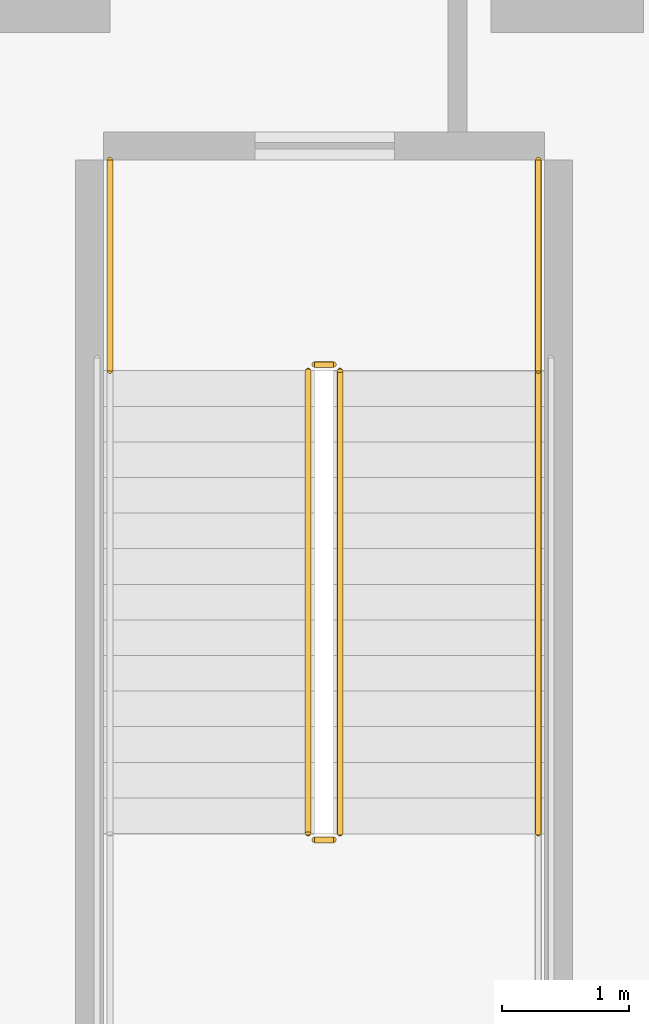
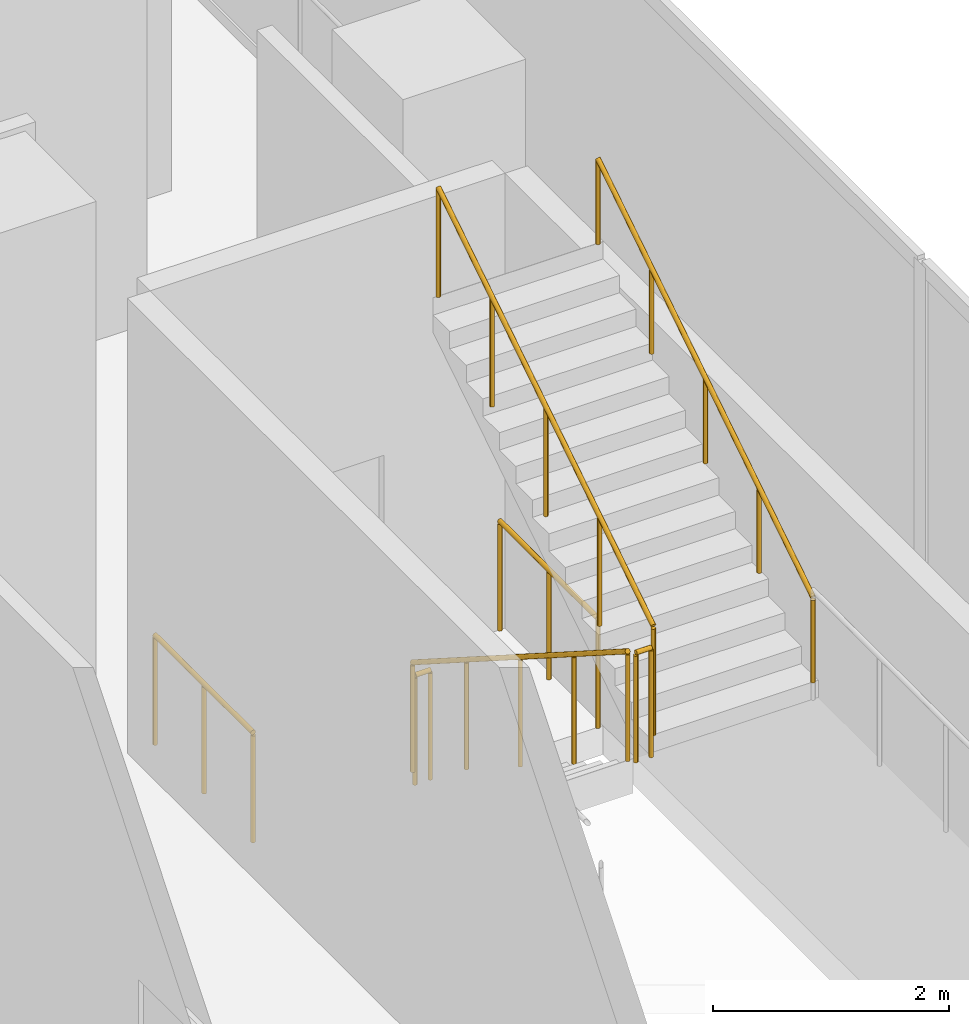
# One storey, part 31 of 31: 7 railings.
"""IFC4 building model written with IfcOpenShell, lengths in metres."""

from ifc_helpers import new_model, si_unit, direction, frame, origin, origin_2d, place, context, subcontext, project, spatial, circle, extrude, material, type_object, element, save


model = new_model("IFC4")

# Units and contexts
model_context = context("Model", 3, precision=1e-05, world=origin(), true_north=direction((0.0, 1.0)))
body_context = subcontext(model_context, "Body", "Model", "MODEL_VIEW")
ifc_project = project(units=[si_unit("LENGTHUNIT", "METRE"), si_unit("AREAUNIT", "SQUARE_METRE"), si_unit("VOLUMEUNIT", "CUBIC_METRE"), si_unit("PLANEANGLEUNIT", "RADIAN"), si_unit("MASSUNIT", "GRAM", prefix="KILO")], contexts=[model_context])

# Site, building, storey
site_placement = place(None, origin())
site = spatial("IfcSite", under=ifc_project, at=site_placement, CompositionType="ELEMENT")
building_placement = place(site_placement, origin())
building = spatial("IfcBuilding", under=site, at=building_placement, Name="Khairoan Windgate Tower", CompositionType="ELEMENT")
storey_placement = place(building_placement, frame((0.0, 0.0, 11.0)))
storey = spatial("IfcBuildingStorey", under=building, at=storey_placement, Name="L03", CompositionType="ELEMENT", Elevation=11.0)

# Railings
ifc_material_1 = material(Name="Anodised Bronze Aluminium 6063-T6", Category="aluminium")
railing_type_1 = type_object("IfcRailingType", Name="Stair Wall Handrail SHR-900", PredefinedType="HANDRAIL", material=ifc_material_1)
railing_1_placement = place(storey_placement, frame((33.969970703125, -15.300048828125, 2.678466796875)))
element("IfcRailing", 1, at=railing_1_placement, inside=storey, type_object=railing_type_1, Name="L03 ST3 stair handrail 2", PredefinedType="HANDRAIL", context=body_context, shape_type="SweptSolid", body=[
    extrude(circle(Radius=0.02392578125, at=origin_2d()), frame((0.0, 0.0, 0.8759765625), z_axis=(0.0, 0.843127859045, 0.537713132908), x_axis=(-1.0, 0.0, 0.0)), (0.0, 0.0, 1.0), 4.3173828125),
    extrude(circle(Radius=0.02099609375, at=origin_2d()), origin(), (0.0, 0.0, 1.0), 0.851806640625),
    extrude(circle(Radius=0.02099609375, at=origin_2d()), frame((0.0, 0.91015625, 0.580322265625)), (0.0, 0.0, 1.0), 0.851806640625),
    extrude(circle(Radius=0.02099609375, at=origin_2d()), frame((0.0, 1.820068359375, 1.16064453125)), (0.0, 0.0, 1.0), 0.851806640625),
    extrude(circle(Radius=0.02099609375, at=origin_2d()), frame((0.0, 2.72998046875, 1.7412109375)), (0.0, 0.0, 1.0), 0.851806640625),
    extrude(circle(Radius=0.02099609375, at=origin_2d()), frame((0.0, 3.64013671875, 2.321533203125)), (0.0, 0.0, 1.0), 0.851806640625),
])
ifc_material_2 = material(Name="Steel S355", Category="steel")
railing_type_2 = type_object("IfcRailingType", Name="Stairwell Safety Guardrail SGR-1150", PredefinedType="GUARDRAIL", material=ifc_material_2)
railing_2_placement = place(storey_placement, frame((32.159912109375, -11.659912109375, 0.178466796875)))
element("IfcRailing", 2, at=railing_2_placement, inside=storey, type_object=railing_type_2, Name="L03 ST3 stair guard 1", PredefinedType="GUARDRAIL", context=body_context, shape_type="SweptSolid", body=[
    extrude(circle(Radius=0.02392578125, at=origin_2d()), frame((0.0, 0.0, 1.1259765625), z_axis=(0.0, -0.843127859045, 0.537713132908), x_axis=(1.0, 0.0, 0.0)), (0.0, 0.0, 1.0), 4.3173828125),
    extrude(circle(Radius=0.02099609375, at=origin_2d()), origin(), (0.0, 0.0, 1.0), 1.101806640625),
    extrude(circle(Radius=0.02099609375, at=origin_2d()), frame((0.0, -0.91015625, 0.580322265625)), (0.0, 0.0, 1.0), 1.101806640625),
    extrude(circle(Radius=0.02099609375, at=origin_2d()), frame((0.0, -1.820068359375, 1.16064453125)), (0.0, 0.0, 1.0), 1.101806640625),
    extrude(circle(Radius=0.02099609375, at=origin_2d()), frame((0.0, -2.72998046875, 1.7412109375)), (0.0, 0.0, 1.0), 1.101806640625),
    extrude(circle(Radius=0.02099609375, at=origin_2d()), frame((0.0, -3.64013671875, 2.321533203125)), (0.0, 0.0, 1.0), 1.101806640625),
])
railing_3_placement = place(storey_placement, frame((32.2099609375, -15.35009765625, 2.5)))
element("IfcRailing", 3, at=railing_3_placement, inside=storey, type_object=railing_type_2, Name="L03 ST3 stair guard 2", PredefinedType="GUARDRAIL", context=body_context, shape_type="SweptSolid", body=[
    extrude(circle(Radius=0.02392578125, at=origin_2d()), frame((0.0, 0.0, 1.1259765625), z_axis=(1.0, 0.0, 0.0), x_axis=(0.0, 1.0, 0.0)), (0.0, 0.0, 1.0), 0.150146484375),
    extrude(circle(Radius=0.02099609375, at=origin_2d()), origin(), (0.0, 0.0, 1.0), 1.101806640625),
    extrude(circle(Radius=0.02099609375, at=origin_2d()), frame((0.150146484375, 0.0, 0.0)), (0.0, 0.0, 1.0), 1.101806640625),
])
railing_4_placement = place(storey_placement, frame((32.409912109375, -15.300048828125, 2.678466796875)))
element("IfcRailing", 4, at=railing_4_placement, inside=storey, type_object=railing_type_2, Name="L03 ST3 stair guard 6", PredefinedType="GUARDRAIL", context=body_context, shape_type="SweptSolid", body=[
    extrude(circle(Radius=0.02392578125, at=origin_2d()), frame((0.0, 0.0, 1.1259765625), z_axis=(0.0, 0.843127859045, 0.537713132908), x_axis=(-1.0, 0.0, 0.0)), (0.0, 0.0, 1.0), 4.3173828125),
    extrude(circle(Radius=0.02099609375, at=origin_2d()), origin(), (0.0, 0.0, 1.0), 1.101806640625),
    extrude(circle(Radius=0.02099609375, at=origin_2d()), frame((0.0, 0.91015625, 0.580322265625)), (0.0, 0.0, 1.0), 1.101806640625),
    extrude(circle(Radius=0.02099609375, at=origin_2d()), frame((0.0, 1.820068359375, 1.16064453125)), (0.0, 0.0, 1.0), 1.101806640625),
    extrude(circle(Radius=0.02099609375, at=origin_2d()), frame((0.0, 2.72998046875, 1.7412109375)), (0.0, 0.0, 1.0), 1.101806640625),
    extrude(circle(Radius=0.02099609375, at=origin_2d()), frame((0.0, 3.64013671875, 2.321533203125)), (0.0, 0.0, 1.0), 1.101806640625),
])
railing_5_placement = place(storey_placement, frame((32.2099609375, -11.610107421875, 0.0)))
element("IfcRailing", 5, at=railing_5_placement, inside=storey, type_object=railing_type_2, Name="L03 ST3 stair guard 7", PredefinedType="GUARDRAIL", context=body_context, shape_type="SweptSolid", body=[
    extrude(circle(Radius=0.02392578125, at=origin_2d()), frame((0.0, 0.0, 1.1259765625), z_axis=(1.0, 0.0, 0.0), x_axis=(0.0, 1.0, 0.0)), (0.0, 0.0, 1.0), 0.150146484375),
    extrude(circle(Radius=0.02099609375, at=origin_2d()), origin(), (0.0, 0.0, 1.0), 1.101806640625),
    extrude(circle(Radius=0.02099609375, at=origin_2d()), frame((0.150146484375, 0.0, 0.0)), (0.0, 0.0, 1.0), 1.101806640625),
])
for number, where, name in (
    (6, (30.60009765625, -10.0, 0.0), "L03 ST3 stair guard 8"),
    (7, (33.969970703125, -10.0, 0.0), "L03 ST3 stair guard 9"),
):
    element("IfcRailing", number, at=place(storey_placement, frame(where)), inside=storey, type_object=railing_type_2, Name=name, PredefinedType="GUARDRAIL", context=body_context, shape_type="SweptSolid", body=[
        extrude(circle(Radius=0.02392578125, at=origin_2d()), frame((0.0, 0.0, 1.1259765625), z_axis=(0.0, -1.0, 0.0), x_axis=(1.0, 0.0, 0.0)), (0.0, 0.0, 1.0), 1.659912109375),
        extrude(circle(Radius=0.02099609375, at=origin_2d()), origin(), (0.0, 0.0, 1.0), 1.101806640625),
        extrude(circle(Radius=0.02099609375, at=origin_2d()), frame((0.0, -0.830078125, 0.0)), (0.0, 0.0, 1.0), 1.101806640625),
        extrude(circle(Radius=0.02099609375, at=origin_2d()), frame((0.0, -1.659912109375, 0.0)), (0.0, 0.0, 1.0), 1.101806640625),
    ])

save(model, "model.ifc")
